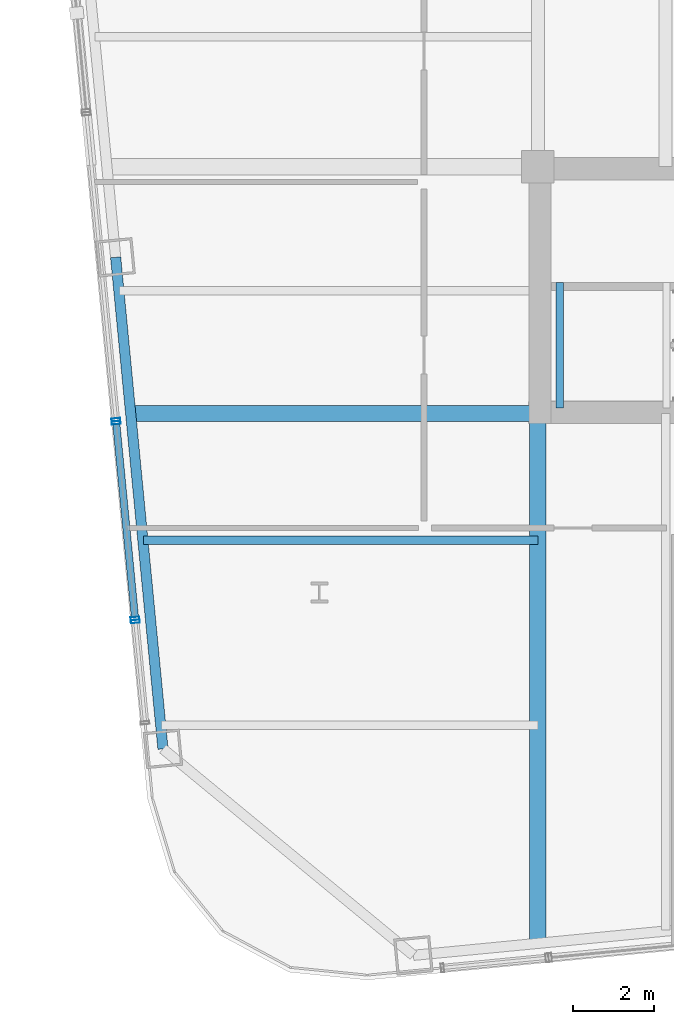
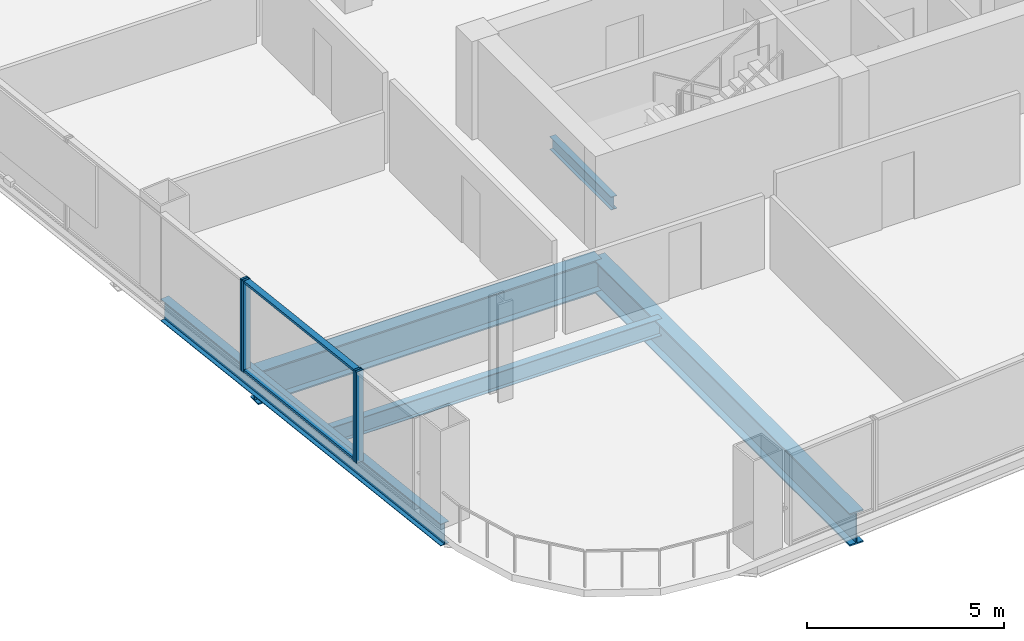
# One storey, part 3 of 32: 6 members, 5 beams, 3 elements without a shape of their own.
"""IFC4 building model written with IfcOpenShell, lengths in metres."""

from ifc_helpers import new_model, si_unit, direction, frame, origin, origin_2d, place, context, subcontext, project, spatial, hollow_rectangle, i_section, extrude, material, layer, layer_set, material_profile, profile_set, type_object, element, aggregate, save


model = new_model("IFC4")

# Units and contexts
model_context = context("Model", 3, precision=1e-05, world=origin(), true_north=direction((0.0, 1.0)))
body_context = subcontext(model_context, "Body", "Model", "MODEL_VIEW")
ifc_project = project(units=[si_unit("LENGTHUNIT", "METRE"), si_unit("AREAUNIT", "SQUARE_METRE"), si_unit("VOLUMEUNIT", "CUBIC_METRE"), si_unit("PLANEANGLEUNIT", "RADIAN"), si_unit("MASSUNIT", "GRAM", prefix="KILO")], contexts=[model_context])

# Site, building, storey
site_placement = place(None, origin())
site = spatial("IfcSite", under=ifc_project, at=site_placement, CompositionType="ELEMENT")
building_placement = place(site_placement, origin())
building = spatial("IfcBuilding", under=site, at=building_placement, Name="Qhalaya Broadcast Tower", CompositionType="ELEMENT")
storey_placement = place(building_placement, frame((0.0, 0.0, 87.75)))
storey = spatial("IfcBuildingStorey", under=building, at=storey_placement, Name="L25", CompositionType="ELEMENT", Elevation=87.75)

# Beams
ifc_material_1 = material(Name="Structural Steel ASTM A992 Grade 50", Category="steel")
ifc_material_profile_1 = material_profile(ifc_material_1, i_section(OverallWidth=0.2099609375, OverallDepth=0.535888671875, WebThickness=0.010986328125, FlangeThickness=0.017333984375, at=origin_2d()), Name="W21X68")
ifc_profile_set_1 = profile_set([ifc_material_profile_1], Name="Structural Steel ASTM A992 Grade 50")
beam_type_1 = type_object("IfcBeamType", Name="Composite Floor Joist J02", PredefinedType="JOIST", material=ifc_profile_set_1)
beam_1_placement = place(storey_placement, frame((-19.164794921875, -11.89990234375, -0.488037109375), z_axis=(1.0, 0.0, 0.0), x_axis=(0.0, 1.0, 0.0)))
element("IfcBeam", 1, at=beam_1_placement, inside=storey, type_object=beam_type_1, Name="L25 J02 L25-JWE2W-1", PredefinedType="JOIST", context=body_context, shape_type="SweptSolid", body=[
    extrude(i_section(OverallWidth=0.2099609375, OverallDepth=0.535888671875, WebThickness=0.010986328125, FlangeThickness=0.017333984375, at=origin_2d()), origin(), (0.0, 0.0, 1.0), 9.789794921875),
])
ifc_material_profile_2 = material_profile(ifc_material_1, i_section(OverallWidth=0.40087890625, OverallDepth=1.010986328125, WebThickness=0.023681640625, FlangeThickness=0.0419921875, at=origin_2d()), Name="W40X297")
ifc_profile_set_2 = profile_set([ifc_material_profile_2], Name="Structural Steel ASTM A992 Grade 50")
beam_type_2 = type_object("IfcBeamType", Name="Lower Block Primary Girder PG2", PredefinedType="USERDEFINED", material=ifc_profile_set_2)
beam_2_placement = place(storey_placement, frame((-9.375, -21.89501953125, -0.7255859375), z_axis=(0.0, 1.0, 0.0), x_axis=(-1.0, 0.0, 0.0)))
element("IfcBeam", 2, at=beam_2_placement, inside=storey, type_object=beam_type_2, Name="L25 PG2 L25-PGXS1-1", ObjectType="GIRDER", PredefinedType="USERDEFINED", context=body_context, shape_type="SweptSolid", body=[
    extrude(i_section(OverallWidth=0.40087890625, OverallDepth=1.010986328125, WebThickness=0.023681640625, FlangeThickness=0.0419921875, at=origin_2d()), origin(), (0.0, 0.0, 1.0), 13.14501953125),
])
beam_3_placement = place(storey_placement, frame((-19.468017578125, -8.75, -0.7255859375), z_axis=(1.0, 0.0, 0.0), x_axis=(0.0, 1.0, 0.0)))
element("IfcBeam", 3, at=beam_3_placement, inside=storey, type_object=beam_type_2, Name="L25 PG2 L25-PGYW1-1", ObjectType="GIRDER", PredefinedType="USERDEFINED", context=body_context, shape_type="SweptSolid", body=[
    extrude(i_section(OverallWidth=0.40087890625, OverallDepth=1.010986328125, WebThickness=0.023681640625, FlangeThickness=0.0419921875, at=origin_2d()), origin(), (0.0, 0.0, 1.0), 10.093017578125),
])
ifc_material_profile_3 = material_profile(ifc_material_1, i_section(OverallWidth=0.25390625, OverallDepth=0.68310546875, WebThickness=0.012451171875, FlangeThickness=0.01904296875, at=origin_2d()), Name="W27X94")
ifc_profile_set_3 = profile_set([ifc_material_profile_3], Name="Structural Steel ASTM A992 Grade 50")
beam_type_3 = type_object("IfcBeamType", Name="Perimeter Ring Spandrel Beam SP1", PredefinedType="SPANDREL", material=ifc_profile_set_3)
beam_4_placement = place(storey_placement, frame((-19.861083984375, -4.875, -0.5615234375), z_axis=(0.095831866369, -0.995397535354, 0.0), x_axis=(0.995397535354, 0.095831866369, 0.0)))
element("IfcBeam", 4, at=beam_4_placement, inside=storey, type_object=beam_type_3, Name="L25 SP1 L25-SPR-15", PredefinedType="SPANDREL", context=body_context, shape_type="SweptSolid", body=[
    extrude(i_section(OverallWidth=0.25390625, OverallDepth=0.68310546875, WebThickness=0.012451171875, FlangeThickness=0.01904296875, at=origin_2d()), origin(), (0.0, 0.0, 1.0), 12.2666015625),
])

# Curtain wall, member
ifc_material_2 = material(Name="Fired Architectural Terracotta", Category="masonry")
ifc_layer_1 = layer(ifc_material_2, 0.219970703125, Name="Fired Architectural Terracotta")
ifc_layer_set_1 = layer_set([ifc_layer_1], Name="Fired Architectural Terracotta")
curtain_wall_type_1 = type_object("IfcCurtainWallType", Name="Block-Cap Unitised Terracotta Spandrel Wall CW-07", PredefinedType="NOTDEFINED", material=ifc_layer_set_1)
curtain_wall_1_placement = place(storey_placement, origin())
curtain_wall_1 = element("IfcCurtainWall", 5, at=curtain_wall_1_placement, inside=storey, type_object=curtain_wall_type_1, Name="L25 Unitised Curtain Wall L25-CW-W5", PredefinedType="NOTDEFINED")
ifc_material_3 = material(Name="Anodised Aluminium 6063-T6", Category="aluminium")
ifc_material_profile_4 = material_profile(ifc_material_3, hollow_rectangle(XDim=0.074951171875, YDim=0.219970703125, WallThickness=0.00390625, at=origin_2d()), Name="ALU-MUL 75x220x4")
ifc_profile_set_4 = profile_set([ifc_material_profile_4], Name="Anodised Aluminium 6063-T6")
member_type_1 = type_object("IfcMemberType", Name="Unitised Curtain-Wall Mullion M01", PredefinedType="MULLION", material=ifc_profile_set_4)
member_1_placement = place(storey_placement, frame((-19.8544921875, -8.91015625, 0.0), z_axis=(0.0, 0.0, 1.0), x_axis=(0.095849092763, -0.995395876733, 0.0)))
member_1 = element("IfcMember", 6, at=member_1_placement, type_object=member_type_1, Name="CW-07 mullion 2", PredefinedType="MULLION", context=body_context, shape_type="SweptSolid", body=[
    extrude(hollow_rectangle(XDim=0.074951171875, YDim=0.219970703125, WallThickness=0.00390625, at=origin_2d()), origin(), (0.0, 0.0, 1.0), 2.830078125),
])
aggregate(curtain_wall_1, [member_1])

# Curtain wall, members
ifc_material_4 = material(Name="Solar-Control Low-E Triple Glazing", Category="glass")
ifc_layer_2 = layer(ifc_material_4, 0.219970703125, Name="Solar-Control Low-E Triple Glazing")
ifc_layer_set_2 = layer_set([ifc_layer_2], Name="Solar-Control Low-E Triple Glazing")
curtain_wall_type_2 = type_object("IfcCurtainWallType", Name="Even-Block 4-Storey Double-Module Curtain Wall CW-03", PredefinedType="NOTDEFINED", material=ifc_layer_set_2)
curtain_wall_2_placement = place(storey_placement, origin())
curtain_wall_2 = element("IfcCurtainWall", 7, at=curtain_wall_2_placement, inside=storey, type_object=curtain_wall_type_2, Name="L25 Unitised Curtain Wall L25-CW-W6", PredefinedType="NOTDEFINED")
member_2_placement = place(storey_placement, frame((-19.84716796875, -8.984619140625, 0.0), z_axis=(0.0, 0.0, 1.0), x_axis=(0.095846535553, -0.995396122969, 0.0)))
member_2 = element("IfcMember", 8, at=member_2_placement, type_object=member_type_1, Name="CW-03 mullion 1", PredefinedType="MULLION", context=body_context, shape_type="SweptSolid", body=[
    extrude(hollow_rectangle(XDim=0.074951171875, YDim=0.219970703125, WallThickness=0.00390625, at=origin_2d()), origin(), (0.0, 0.0, 1.0), 2.830078125),
])
member_3_placement = place(storey_placement, frame((-19.379150390625, -13.84521484375, 0.0), z_axis=(0.0, 0.0, 1.0), x_axis=(0.095846535553, -0.995396122969, 0.0)))
member_3 = element("IfcMember", 9, at=member_3_placement, type_object=member_type_1, Name="CW-03 mullion 2", PredefinedType="MULLION", context=body_context, shape_type="SweptSolid", body=[
    extrude(hollow_rectangle(XDim=0.074951171875, YDim=0.219970703125, WallThickness=0.00390625, at=origin_2d()), origin(), (0.0, 0.0, 1.0), 2.830078125),
])

# Curtain wall, member
curtain_wall_3_placement = place(storey_placement, origin())
curtain_wall_3 = element("IfcCurtainWall", 10, at=curtain_wall_3_placement, inside=storey, type_object=curtain_wall_type_1, Name="L25 Unitised Curtain Wall L25-CW-W7", PredefinedType="NOTDEFINED")
member_4_placement = place(storey_placement, frame((-19.3720703125, -13.919921875, 0.0), z_axis=(0.0, 0.0, 1.0), x_axis=(0.095849237045, -0.995395862839, 0.0)))
member_4 = element("IfcMember", 11, at=member_4_placement, type_object=member_type_1, Name="CW-07 mullion 1", PredefinedType="MULLION", context=body_context, shape_type="SweptSolid", body=[
    extrude(hollow_rectangle(XDim=0.074951171875, YDim=0.219970703125, WallThickness=0.00390625, at=origin_2d()), origin(), (0.0, 0.0, 1.0), 2.830078125),
])
aggregate(curtain_wall_3, [member_4])

# Member
ifc_material_profile_5 = material_profile(ifc_material_3, hollow_rectangle(XDim=0.074951171875, YDim=0.179931640625, WallThickness=0.00390625, at=origin_2d()), Name="ALU-TRN 75x180x4")
ifc_profile_set_5 = profile_set([ifc_material_profile_5], Name="Anodised Aluminium 6063-T6")
member_type_2 = type_object("IfcMemberType", Name="Unitised Curtain-Wall Transom T01", PredefinedType="USERDEFINED", material=ifc_profile_set_5)
member_5_placement = place(storey_placement, frame((-19.843505859375, -9.02197265625, 0.03759765625), z_axis=(0.0958178693, -0.995398882822, 0.0), x_axis=(0.0, 0.0, 1.0)))
member_5 = element("IfcMember", 12, at=member_5_placement, type_object=member_type_2, Name="CW-03 transom 1.1", ObjectType="TRANSOM", PredefinedType="USERDEFINED", context=body_context, shape_type="SweptSolid", body=[
    extrude(hollow_rectangle(XDim=0.074951171875, YDim=0.179931640625, WallThickness=0.00390625, at=origin_2d()), origin(), (0.0, 0.0, 1.0), 4.80810546875),
])

member_6_placement = place(storey_placement, frame((-19.843505859375, -9.02197265625, 2.79248046875), z_axis=(0.0958178693, -0.995398882822, 0.0), x_axis=(0.0, 0.0, 1.0)))
member_6 = element("IfcMember", 13, at=member_6_placement, type_object=member_type_2, Name="CW-03 transom 1.2", ObjectType="TRANSOM", PredefinedType="USERDEFINED", context=body_context, shape_type="SweptSolid", body=[
    extrude(hollow_rectangle(XDim=0.074951171875, YDim=0.179931640625, WallThickness=0.00390625, at=origin_2d()), origin(), (0.0, 0.0, 1.0), 4.80810546875),
])

aggregate(curtain_wall_2, [member_2, member_3, member_5, member_6])

# Beam
ifc_material_profile_6 = material_profile(ifc_material_1, i_section(OverallWidth=0.177978515625, OverallDepth=0.406005859375, WebThickness=0.0078125, FlangeThickness=0.0126953125, at=origin_2d()), Name="W16X40")
ifc_profile_set_6 = profile_set([ifc_material_profile_6], Name="Structural Steel ASTM A992 Grade 50")
beam_type_4 = type_object("IfcBeamType", Name="Upper Perimeter Spandrel Beam SP2", PredefinedType="SPANDREL", material=ifc_profile_set_6)
beam_5_placement = place(storey_placement, frame((-8.830078125, -8.6201171875, 1.1220703125), z_axis=(0.0, 1.0, 0.0), x_axis=(-1.0, 0.0, 0.0)))
element("IfcBeam", 14, at=beam_5_placement, inside=storey, type_object=beam_type_4, Name="L25 ST-2 Half-Landing Bearer Beam 1", PredefinedType="SPANDREL", context=body_context, shape_type="SweptSolid", body=[
    extrude(i_section(OverallWidth=0.177978515625, OverallDepth=0.406005859375, WebThickness=0.0078125, FlangeThickness=0.0126953125, at=origin_2d()), origin(), (0.0, 0.0, 1.0), 3.1201171875),
])

save(model, "model.ifc")
